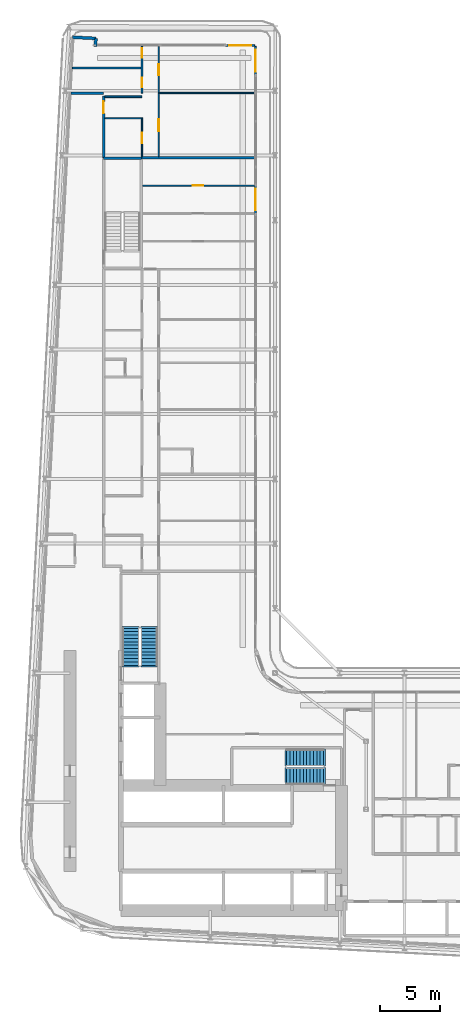
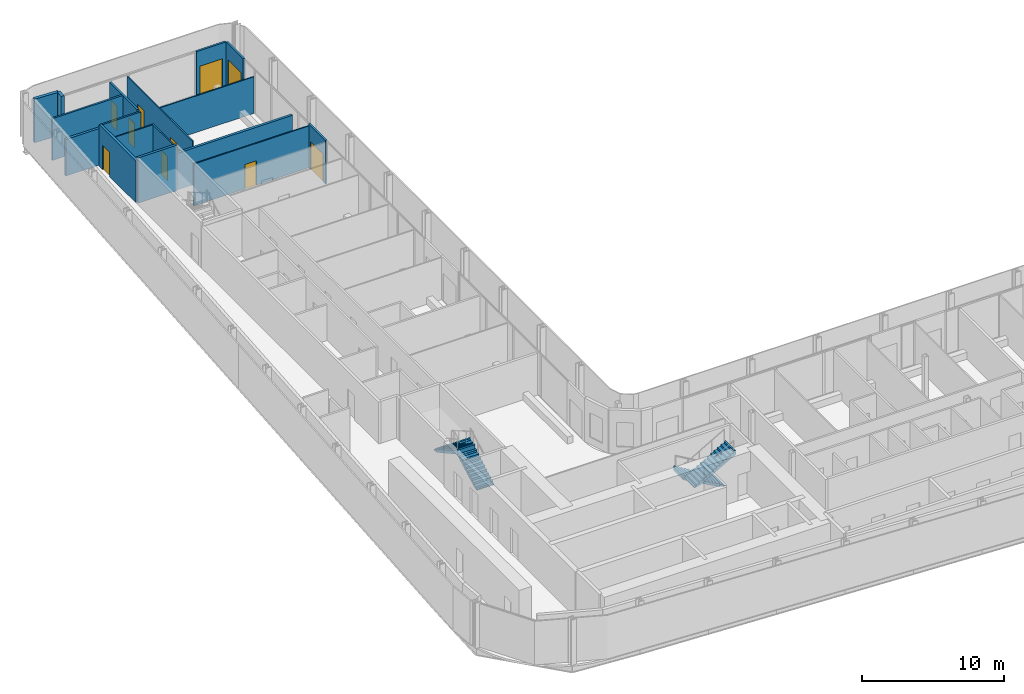
# One storey, part 21 of 29: 17 walls, 10 doors, 4 stair flights, 10 openings, 2 elements without a shape of their own.
"""IFC4 building model written with IfcOpenShell, lengths in metres."""

import ifcopenshell
import ifcopenshell.guid

model = None  # the IFC model being written
_history = None  # IfcOwnerHistory: only IFC2X3 demands one
_inside = {}  # id of a spatial element -> (the spatial element, [elements in it])
_under = {}  # id of a project, library or spatial element -> (it, [spatial elements below it])
_declared = {}  # id of a project -> (the project, [libraries it declares])
_typed = {}  # id of a type object -> (the type object, [elements of that type])
_made_of = {}  # id of a material, layer set ... -> (it, [elements and type objects made of it])


def new_model(schema):
    """Start an empty IFC model of exactly this schema.

    Asked for "IFC4X3", IfcOpenShell would pick the latest addendum, in which some entities
    have other attributes; the version numbers below select the first issue.
    IFC2X3 requires an IfcOwnerHistory on every rooted entity: one is made here for all.
    """
    global model, _history
    if schema == "IFC4X3":
        model = ifcopenshell.file(schema_version=(4, 3, 0, 0))
    else:
        model = ifcopenshell.file(schema=schema)
    _inside.clear()
    _under.clear()
    _declared.clear()
    _typed.clear()
    _made_of.clear()
    _history = None
    if model.schema == "IFC2X3":
        org = make("IfcOrganization", Name="unknown")
        user = make(
            "IfcPersonAndOrganization",
            ThePerson=make("IfcPerson", FamilyName="unknown"),
            TheOrganization=org,
        )
        app = make(
            "IfcApplication",
            ApplicationDeveloper=org,
            Version="unknown",
            ApplicationFullName="unknown",
            ApplicationIdentifier="unknown",
        )
        _history = make(
            "IfcOwnerHistory",
            OwningUser=user,
            OwningApplication=app,
            ChangeAction="ADDED",
            CreationDate=0,
        )
    return model


def make(cls, **values):
    """One entity of the class cls with the attributes given. An attribute that is None is left unset."""
    return model.create_entity(
        cls, **{name: value for name, value in values.items() if value is not None}
    )


def rooted(cls, **values):
    """An entity with a GlobalId (a new one), such as an element, a storey or a relation."""
    return make(cls, GlobalId=ifcopenshell.guid.new(), OwnerHistory=_history, **values)


def si_unit(unit_type, name, prefix=None):
    """IfcSIUnit, for example si_unit("LENGTHUNIT", "METRE", prefix="MILLI")."""
    return make("IfcSIUnit", UnitType=unit_type, Prefix=prefix, Name=name)


def assignment(units):
    """IfcUnitAssignment: the units of a project."""
    return None if units is None else make("IfcUnitAssignment", Units=units)


def point(xyz):
    """IfcCartesianPoint."""
    return None if xyz is None else make("IfcCartesianPoint", Coordinates=xyz)


def direction(xyz):
    """IfcDirection."""
    return None if xyz is None else make("IfcDirection", DirectionRatios=xyz)


def frame(location, z_axis=None, x_axis=None):
    """IfcAxis2Placement3D, a coordinate frame: its origin and axes. An axis left out is left unset."""
    return make(
        "IfcAxis2Placement3D",
        Location=point(location),
        Axis=direction(z_axis),
        RefDirection=direction(x_axis),
    )


def frame_2d(location, x_axis=None):
    """IfcAxis2Placement2D, a coordinate frame in the plane: its origin and x axis."""
    return make(
        "IfcAxis2Placement2D", Location=point(location), RefDirection=direction(x_axis)
    )


def origin():
    """The frame at (0, 0, 0) with its axes left unset."""
    return frame((0.0, 0.0, 0.0))


def place(relative_to, where):
    """IfcLocalPlacement: puts the frame where relative to a parent placement (None: the world)."""
    return make(
        "IfcLocalPlacement", PlacementRelTo=relative_to, RelativePlacement=where
    )


def context(
    kind, dimensions, precision=None, world=None, true_north=None, identifier=None
):
    """IfcGeometricRepresentationContext, for example the 3D "Model" context."""
    return make(
        "IfcGeometricRepresentationContext",
        ContextIdentifier=identifier,
        ContextType=kind,
        CoordinateSpaceDimension=dimensions,
        Precision=precision,
        WorldCoordinateSystem=world,
        TrueNorth=true_north,
    )


def subcontext(parent, identifier, kind, view, scale=None):
    """IfcGeometricRepresentationSubContext, for example "Body" below "Model"."""
    return make(
        "IfcGeometricRepresentationSubContext",
        ContextIdentifier=identifier,
        ContextType=kind,
        ParentContext=parent,
        TargetScale=scale,
        TargetView=view,
    )


def project(units=None, contexts=None):
    """IfcProject with its units and contexts."""
    return rooted(
        "IfcProject",
        Name="project",
        RepresentationContexts=contexts,
        UnitsInContext=assignment(units),
    )


def spatial(cls, under=None, at=None, **own):
    """A site, building, storey or space (cls), placed at a placement, below another one or the project."""
    s = rooted(cls, ObjectPlacement=at, **own)
    if under is not None:
        _under.setdefault(under.id(), (under, []))[1].append(s)
    return s


def polyline(points):
    """IfcPolyline through the points."""
    return make("IfcPolyline", Points=[point(p) for p in points])


def profile(cls, at=None, kind="AREA", **sizes):
    """A parametric profile (cls). Its sizes go by their IFC names, for example OverallWidth=200.0."""
    return make(cls, ProfileType=kind, Position=at, **sizes)


def rectangle(**sizes):
    """IfcRectangleProfileDef."""
    return profile("IfcRectangleProfileDef", **sizes)


def outline(outer, holes=None, kind="AREA"):
    """IfcArbitraryClosedProfileDef: a profile drawn as a closed curve; with holes, ...WithVoids."""
    if holes is None:
        return make("IfcArbitraryClosedProfileDef", ProfileType=kind, OuterCurve=outer)
    return make(
        "IfcArbitraryProfileDefWithVoids",
        ProfileType=kind,
        OuterCurve=outer,
        InnerCurves=holes,
    )


def extrude(swept, where, along, depth):
    """IfcExtrudedAreaSolid: the profile swept, set in the frame where, extruded along a direction by depth."""
    return make(
        "IfcExtrudedAreaSolid",
        SweptArea=swept,
        Position=where,
        ExtrudedDirection=direction(along),
        Depth=depth,
    )


def shape(context_of_items, identifier, shape_type, items):
    """IfcShapeRepresentation: the items that make up one representation, for example the "Body"."""
    return make(
        "IfcShapeRepresentation",
        ContextOfItems=context_of_items,
        RepresentationIdentifier=identifier,
        RepresentationType=shape_type,
        Items=items,
    )


def source(mapping_origin, context_of_items, identifier, shape_type, items):
    """IfcRepresentationMap: a shape defined once, which mapped items show again and again."""
    return make(
        "IfcRepresentationMap",
        MappingOrigin=mapping_origin,
        MappedRepresentation=shape(context_of_items, identifier, shape_type, items),
    )


def transform(
    local_origin,
    x_axis=None,
    y_axis=None,
    z_axis=None,
    scale=None,
    scale2=None,
    scale3=None,
    uniform=True,
):
    """IfcCartesianTransformationOperator3D, or its non-uniform kind. x_axis, y_axis, z_axis: its Axis1, 2, 3."""
    if uniform:
        return make(
            "IfcCartesianTransformationOperator3D",
            Axis1=direction(x_axis),
            Axis2=direction(y_axis),
            LocalOrigin=point(local_origin),
            Scale=scale,
            Axis3=direction(z_axis),
        )
    return make(
        "IfcCartesianTransformationOperator3DnonUniform",
        Axis1=direction(x_axis),
        Axis2=direction(y_axis),
        LocalOrigin=point(local_origin),
        Scale=scale,
        Axis3=direction(z_axis),
        Scale2=scale2,
        Scale3=scale3,
    )


def mapped(mapping_source, mapping_target):
    """IfcMappedItem: shows the shape of a source again, moved by a transform."""
    return make(
        "IfcMappedItem", MappingSource=mapping_source, MappingTarget=mapping_target
    )


def material(Name=None, Category=None):
    """IfcMaterial."""
    return make("IfcMaterial", Name=Name, Category=Category)


def layer(
    of_material, thickness, ventilated=None, Name=None, Category=None, Priority=None
):
    """IfcMaterialLayer: one layer of a wall or slab, of a material (None: an air gap)."""
    return make(
        "IfcMaterialLayer",
        Material=of_material,
        LayerThickness=thickness,
        IsVentilated=ventilated,
        Name=Name,
        Category=Category,
        Priority=Priority,
    )


def layer_set(layers, Name=None):
    """IfcMaterialLayerSet."""
    return make("IfcMaterialLayerSet", MaterialLayers=layers, LayerSetName=Name)


def made_of(thing, what):
    """Note that an element or type object is made of a material, layer set ...; save() writes the relation."""
    if what is not None:
        _made_of.setdefault(what.id(), (what, []))[1].append(thing)
    return thing


def type_object(cls, material=None, **own):
    """A type object (cls), such as IfcWallType, which elements share."""
    return made_of(rooted(cls, **own), material)


def element(
    cls,
    number,
    at=None,
    inside=None,
    cuts=None,
    type_object=None,
    material=None,
    context=None,
    identifier="Body",
    shape_type=None,
    held_by="IfcProductDefinitionShape",
    body=None,
    shapes=None,
    **own,
):
    """One element of the class cls, such as IfcWall. Its Tag is "e" and its number.

    at: its placement. inside: the storey or other place that contains it. cuts: it is an
    opening in that element (IfcRelVoidsElement). A single representation is given by context,
    identifier, shape_type and body (its items); several are given by shapes. held_by: the class
    of the entity that holds the representations. save() writes the other relations.
    """
    e = rooted(cls, Tag="e%d" % number, ObjectPlacement=at, **own)
    if body is not None:
        shapes = [shape(context, identifier, shape_type, body)]
    if shapes is not None:
        e.Representation = make(held_by, Representations=shapes)
    if inside is not None:
        _inside.setdefault(inside.id(), (inside, []))[1].append(e)
    if cuts is not None:
        rooted(
            "IfcRelVoidsElement", RelatingBuildingElement=cuts, RelatedOpeningElement=e
        )
    if type_object is not None:
        _typed.setdefault(type_object.id(), (type_object, []))[1].append(e)
    return made_of(e, material)


def fill(opening, filler):
    """IfcRelFillsElement: the door or window that sits in an opening."""
    return rooted(
        "IfcRelFillsElement",
        RelatingOpeningElement=opening,
        RelatedBuildingElement=filler,
    )


def aggregate(whole, parts):
    """IfcRelAggregates: a whole, such as a stair, and the parts it consists of."""
    return rooted("IfcRelAggregates", RelatingObject=whole, RelatedObjects=parts)


def save(model, path):
    """Write the relations noted so far, then the file.

    IfcRelAggregates (storeys below a building ...), IfcRelContainedInSpatialStructure (elements
    in a storey), IfcRelDefinesByType, IfcRelAssociatesMaterial and IfcRelDeclares: one each for
    every whole, place, type object, material and project.
    """
    for whole, parts in _under.values():
        aggregate(whole, parts)
    for where, things in _inside.values():
        rooted(
            "IfcRelContainedInSpatialStructure",
            RelatedElements=things,
            RelatingStructure=where,
        )
    for kind, things in _typed.values():
        rooted("IfcRelDefinesByType", RelatedObjects=things, RelatingType=kind)
    for what, things in _made_of.values():
        rooted("IfcRelAssociatesMaterial", RelatedObjects=things, RelatingMaterial=what)
    for by, libraries in _declared.values():
        rooted("IfcRelDeclares", RelatingContext=by, RelatedDefinitions=libraries)
    model.write(path)


model = new_model("IFC4")

# Units and contexts
model_context = context("Model", 3, precision=1e-05, world=origin(), true_north=direction((0.0, 1.0)))
body_context = subcontext(model_context, "Body", "Model", "MODEL_VIEW")
ifc_project = project(units=[si_unit("LENGTHUNIT", "METRE"), si_unit("AREAUNIT", "SQUARE_METRE"), si_unit("VOLUMEUNIT", "CUBIC_METRE"), si_unit("PLANEANGLEUNIT", "RADIAN"), si_unit("MASSUNIT", "GRAM", prefix="KILO")], contexts=[model_context])

# Site, building, storey
site_placement = place(None, origin())
site = spatial("IfcSite", under=ifc_project, at=site_placement, CompositionType="ELEMENT")
building_placement = place(site_placement, origin())
building = spatial("IfcBuilding", under=site, at=building_placement, Name="Kheshtan School and Residences Tower", CompositionType="ELEMENT")
storey_placement = place(building_placement, frame((0.0, 0.0, 65.60009765625)))
storey = spatial("IfcBuildingStorey", under=building, at=storey_placement, Name="L15", CompositionType="ELEMENT", Elevation=65.60009765625)

# Wall
ifc_material_1 = material(Name="Gypsum board on steel studs with fire boards", Category="steel")
ifc_layer_1 = layer(ifc_material_1, 0.199951171875)
ifc_layer_set_1 = layer_set([ifc_layer_1], Name="Corridor wall 200")
wall_type_1 = type_object("IfcWallType", Name="Corridor wall 200", PredefinedType="PARTITIONING", material=ifc_layer_set_1)
wall_1_placement = place(storey_placement, frame((30.584716796875, 94.0, 0.0), z_axis=(0.0, 0.0, 1.0), x_axis=(1.0, 0.0, 0.0)))
element("IfcWall", 1, at=wall_1_placement, inside=storey, type_object=wall_type_1, Name="Partition L15-002", PredefinedType="PARTITIONING", context=body_context, shape_type="SweptSolid", body=[
    extrude(rectangle(XDim=2.71533203125, YDim=0.199951171875, at=frame_2d((1.357666015625, 0.0))), origin(), (0.0, 0.0, 1.0), 3.14697265625),
])

# Wall, opening, door
wall_2_placement = place(storey_placement, frame((33.300048828125, 88.60009765625, 0.0), z_axis=(0.0, 0.0, 1.0), x_axis=(0.0, 1.0, 0.0)))
wall_2 = element("IfcWall", 2, at=wall_2_placement, inside=storey, type_object=wall_type_1, Name="Partition L15-004", PredefinedType="PARTITIONING", context=body_context, shape_type="SweptSolid", body=[
    extrude(rectangle(XDim=5.1748046875, YDim=0.199951171875, at=frame_2d((2.58740234375, 0.0))), origin(), (0.0, 0.0, 1.0), 3.599853515625),
])
opening_1_placement = place(wall_2_placement, frame((3.699951171875, 0.0, 0.0)))
opening_1 = element("IfcOpeningElement", 3, at=opening_1_placement, cuts=wall_2, Name="Opening D14-053", PredefinedType="OPENING", context=body_context, shape_type="SweptSolid", body=[
    extrude(rectangle(XDim=1.0, YDim=2.10009765625, at=frame_2d((0.5, 1.050048828125))), frame((0.0, 0.10986328125, 0.0), z_axis=(0.0, -1.0, 0.0), x_axis=(1.0, 0.0, 0.0)), (0.0, 0.0, 1.0), 0.219970703125),
])
ifc_material_2 = material(Name="Steel-framed fire-resisting door leaf", Category="steel")
door_type_1 = type_object("IfcDoorType", Name="Fire door FD30S 1000 x 2100", OperationType="SINGLE_SWING_LEFT", PredefinedType="DOOR", material=ifc_material_2)
shared_shape_1 = source(origin(), body_context, "Body", "SweptSolid", [
    extrude(rectangle(XDim=1.0, YDim=2.10009765625, at=frame_2d((0.5, 1.050048828125))), frame((0.0, 0.02490234375, 0.0), z_axis=(0.0, -1.0, 0.0), x_axis=(1.0, 0.0, 0.0)), (0.0, 0.0, 1.0), 0.050048828125),
])
door_1_placement = place(opening_1_placement, origin())
door_1 = element("IfcDoor", 4, at=door_1_placement, inside=storey, type_object=door_type_1, Name="Door D14-053", OperationType="SINGLE_SWING_RIGHT", OverallHeight=2.10009765625, OverallWidth=1.0, PredefinedType="DOOR", context=body_context, shape_type="MappedRepresentation", body=[
    mapped(shared_shape_1, transform((0.0, 0.0, 0.0), x_axis=(1.0, 0.0, 0.0), y_axis=(0.0, 1.0, 0.0), z_axis=(0.0, 0.0, 1.0), scale=1.0)),
])
fill(opening_1, door_1)

# Walls
ifc_material_3 = material(Name="Concrete C40/50 with ceramic cladding and mineral wool insulation", Category="concrete")
ifc_layer_2 = layer(ifc_material_3, 0.25)
ifc_layer_set_2 = layer_set([ifc_layer_2], Name="External wall 250 ceramic clad")
wall_type_2 = type_object("IfcWallType", Name="External wall 250 ceramic clad", PredefinedType="SOLIDWALL", material=ifc_layer_set_2)
wall_3_placement = place(storey_placement, frame((30.705078125, 98.6640625, 0.0), z_axis=(0.0, 0.0, 1.0), x_axis=(0.998577785791, -0.053314216913, 0.0)))
element("IfcWall", 5, at=wall_3_placement, inside=storey, type_object=wall_type_2, Name="External wall L15 5", PredefinedType="SOLIDWALL", context=body_context, shape_type="SweptSolid", body=[
    extrude(rectangle(XDim=1.95068359375, YDim=0.25, at=frame_2d((0.975341796875, 0.0))), origin(), (0.0, 0.0, 1.0), 3.75),
])
wall_4_placement = place(storey_placement, frame((32.653076171875, 98.56005859375, 0.0), z_axis=(0.0, 0.0, 1.0), x_axis=(-0.054093451632, -0.998535877418, 0.0)))
element("IfcWall", 6, at=wall_4_placement, inside=storey, type_object=wall_type_2, Name="External wall L15 6", PredefinedType="SOLIDWALL", context=body_context, shape_type="SweptSolid", body=[
    extrude(rectangle(XDim=0.66796875, YDim=0.25, at=frame_2d((0.333984375, 0.0))), origin(), (0.0, 0.0, 1.0), 3.75),
])

# Wall, opening, door
ifc_material_4 = material(Name="Aluminium frame wall with insulated infill", Category="aluminium")
ifc_layer_3 = layer(ifc_material_4, 0.14990234375)
ifc_layer_set_3 = layer_set([ifc_layer_3], Name="Glazing frame wall 150")
wall_type_3 = type_object("IfcWallType", Name="Glazing frame wall 150", PredefinedType="SOLIDWALL", material=ifc_layer_set_3)
wall_5_placement = place(storey_placement, frame((43.5, 97.97509765625, 0.0), z_axis=(0.0, 0.0, 1.0), x_axis=(1.0, 0.0, 0.0)))
wall_5 = element("IfcWall", 7, at=wall_5_placement, inside=storey, type_object=wall_type_3, Name="Balcony door wall L15 7.1", PredefinedType="SOLIDWALL", context=body_context, shape_type="SweptSolid", body=[
    extrude(rectangle(XDim=2.39990234375, YDim=0.14990234375, at=frame_2d((1.199951171875, 0.0))), origin(), (0.0, 0.0, 1.0), 3.75),
])
opening_2_placement = place(wall_5_placement, frame((0.300048828125, 0.0, 0.0)))
opening_2 = element("IfcOpeningElement", 8, at=opening_2_placement, cuts=wall_5, Name="Opening BD", PredefinedType="OPENING", context=body_context, shape_type="SweptSolid", body=[
    extrude(rectangle(XDim=1.800048828125, YDim=2.39990234375, at=frame_2d((0.89990234375, 1.199951171875))), frame((0.0, 0.0849609375, 0.0), z_axis=(0.0, -1.0, 0.0), x_axis=(1.0, 0.0, 0.0)), (0.0, 0.0, 1.0), 0.169921875),
])
ifc_material_5 = material(Name="Clear low-e glass in thermally broken aluminium frame", Category="aluminium")
door_type_2 = type_object("IfcDoorType", Name="Balcony sliding door", OperationType="SLIDING_TO_LEFT", PredefinedType="DOOR", material=ifc_material_5)
shared_shape_2 = source(origin(), body_context, "Body", "SweptSolid", [
    extrude(rectangle(XDim=1.800048828125, YDim=2.39990234375, at=frame_2d((0.89990234375, 1.199951171875))), frame((0.0, 0.02490234375, 0.0), z_axis=(0.0, -1.0, 0.0), x_axis=(1.0, 0.0, 0.0)), (0.0, 0.0, 1.0), 0.050048828125),
])
door_2_placement = place(opening_2_placement, origin())
door_2 = element("IfcDoor", 9, at=door_2_placement, inside=storey, type_object=door_type_2, Name="Balcony door L15 7.1", OperationType="SLIDING_TO_LEFT", OverallHeight=2.39990234375, OverallWidth=1.800048828125, PredefinedType="DOOR", context=body_context, shape_type="MappedRepresentation", body=[
    mapped(shared_shape_2, transform((0.0, 0.0, 0.0), x_axis=(1.0, 0.0, 0.0), y_axis=(0.0, 1.0, 0.0), z_axis=(0.0, 0.0, 1.0), scale=1.0)),
])
fill(opening_2, door_2)

wall_6_placement = place(storey_placement, frame((45.97509765625, 97.89990234375, 0.0), z_axis=(0.0, 0.0, 1.0), x_axis=(0.0, -1.0, 0.0)))
wall_6 = element("IfcWall", 10, at=wall_6_placement, inside=storey, type_object=wall_type_3, Name="Balcony door wall L15 8.1", PredefinedType="SOLIDWALL", context=body_context, shape_type="SweptSolid", body=[
    extrude(rectangle(XDim=2.39990234375, YDim=0.14990234375, at=frame_2d((1.199951171875, 0.0))), origin(), (0.0, 0.0, 1.0), 3.75),
])
opening_3_placement = place(wall_6_placement, frame((0.300048828125, 0.0, 0.0)))
opening_3 = element("IfcOpeningElement", 11, at=opening_3_placement, cuts=wall_6, Name="Opening BD", PredefinedType="OPENING", context=body_context, shape_type="SweptSolid", body=[
    extrude(rectangle(XDim=1.800048828125, YDim=2.39990234375, at=frame_2d((0.89990234375, 1.199951171875))), frame((0.0, 0.0849609375, 0.0), z_axis=(0.0, -1.0, 0.0), x_axis=(1.0, 0.0, 0.0)), (0.0, 0.0, 1.0), 0.169921875),
])
door_3_placement = place(opening_3_placement, origin())
door_3 = element("IfcDoor", 12, at=door_3_placement, inside=storey, type_object=door_type_2, Name="Balcony door L15 8.1", OperationType="SLIDING_TO_LEFT", OverallHeight=2.39990234375, OverallWidth=1.800048828125, PredefinedType="DOOR", context=body_context, shape_type="MappedRepresentation", body=[
    mapped(shared_shape_2, transform((0.0, 0.0, 0.0), x_axis=(1.0, 0.0, 0.0), y_axis=(0.0, 1.0, 0.0), z_axis=(0.0, 0.0, 1.0), scale=1.0)),
])
fill(opening_3, door_3)

wall_7_placement = place(storey_placement, frame((45.97509765625, 86.305908203125, 0.0), z_axis=(0.0, 0.0, 1.0), x_axis=(0.0, -1.0, 0.0)))
wall_7 = element("IfcWall", 13, at=wall_7_placement, inside=storey, type_object=wall_type_3, Name="Balcony door wall L15 8.2", PredefinedType="SOLIDWALL", context=body_context, shape_type="SweptSolid", body=[
    extrude(rectangle(XDim=2.39990234375, YDim=0.14990234375, at=frame_2d((1.199951171875, 0.0))), origin(), (0.0, 0.0, 1.0), 3.75),
])
opening_4_placement = place(wall_7_placement, frame((0.300048828125, 0.0, 0.0)))
opening_4 = element("IfcOpeningElement", 14, at=opening_4_placement, cuts=wall_7, Name="Opening BD", PredefinedType="OPENING", context=body_context, shape_type="SweptSolid", body=[
    extrude(rectangle(XDim=1.800048828125, YDim=2.39990234375, at=frame_2d((0.89990234375, 1.199951171875))), frame((0.0, 0.0849609375, 0.0), z_axis=(0.0, -1.0, 0.0), x_axis=(1.0, 0.0, 0.0)), (0.0, 0.0, 1.0), 0.169921875),
])
door_4_placement = place(opening_4_placement, origin())
door_4 = element("IfcDoor", 15, at=door_4_placement, inside=storey, type_object=door_type_2, Name="Balcony door L15 8.2", OperationType="SLIDING_TO_LEFT", OverallHeight=2.39990234375, OverallWidth=1.800048828125, PredefinedType="DOOR", context=body_context, shape_type="MappedRepresentation", body=[
    mapped(shared_shape_2, transform((0.0, 0.0, 0.0), x_axis=(1.0, 0.0, 0.0), y_axis=(0.0, 1.0, 0.0), z_axis=(0.0, 0.0, 1.0), scale=1.0)),
])
fill(opening_4, door_4)

# Wall
ifc_material_6 = material(Name="Gypsum board on steel studs", Category="steel")
ifc_layer_4 = layer(ifc_material_6, 0.10009765625)
ifc_layer_set_4 = layer_set([ifc_layer_4], Name="Gypsum partition 100")
wall_type_4 = type_object("IfcWallType", Name="Gypsum partition 100", PredefinedType="PARTITIONING", material=ifc_layer_set_4)
wall_8_placement = place(storey_placement, frame((33.39990234375, 91.89990234375, 0.0), z_axis=(0.0, 0.0, 1.0), x_axis=(1.0, 0.0, 0.0)))
element("IfcWall", 16, at=wall_8_placement, inside=storey, type_object=wall_type_4, Name="Partition L15-013", PredefinedType="PARTITIONING", context=body_context, shape_type="SweptSolid", body=[
    extrude(rectangle(XDim=3.050048828125, YDim=0.10009765625, at=frame_2d((1.52490234375, 0.0))), origin(), (0.0, 0.0, 1.0), 3.599853515625),
])

# Wall, opening, door
wall_9_placement = place(storey_placement, frame((36.5, 88.699951171875, 0.0), z_axis=(0.0, 0.0, 1.0), x_axis=(0.0, 1.0, 0.0)))
wall_9 = element("IfcWall", 17, at=wall_9_placement, inside=storey, type_object=wall_type_4, Name="Partition L15-022", PredefinedType="PARTITIONING", context=body_context, shape_type="SweptSolid", body=[
    extrude(rectangle(XDim=3.25, YDim=0.10009765625, at=frame_2d((1.625, 0.0))), origin(), (0.0, 0.0, 1.0), 3.599853515625),
])
opening_5_placement = place(wall_9_placement, frame((1.10009765625, 0.0, 0.0)))
opening_5 = element("IfcOpeningElement", 18, at=opening_5_placement, cuts=wall_9, Name="Opening D14-054", PredefinedType="OPENING", context=body_context, shape_type="SweptSolid", body=[
    extrude(rectangle(XDim=0.89990234375, YDim=2.10009765625, at=frame_2d((0.449951171875, 1.050048828125))), frame((0.0, 0.06005859375, 0.0), z_axis=(0.0, -1.0, 0.0), x_axis=(1.0, 0.0, 0.0)), (0.0, 0.0, 1.0), 0.1201171875),
])
ifc_material_7 = material(Name="Veneered timber door leaf", Category="wood")
door_type_3 = type_object("IfcDoorType", Name="Door 900 x 2100", OperationType="SINGLE_SWING_LEFT", PredefinedType="DOOR", material=ifc_material_7)
shared_shape_3 = source(origin(), body_context, "Body", "SweptSolid", [
    extrude(rectangle(XDim=0.89990234375, YDim=2.10009765625, at=frame_2d((0.449951171875, 1.050048828125))), frame((0.0, 0.02490234375, 0.0), z_axis=(0.0, -1.0, 0.0), x_axis=(1.0, 0.0, 0.0)), (0.0, 0.0, 1.0), 0.050048828125),
])
door_5_placement = place(opening_5_placement, origin())
door_5 = element("IfcDoor", 19, at=door_5_placement, inside=storey, type_object=door_type_3, Name="Door D14-054", OperationType="SINGLE_SWING_LEFT", OverallHeight=2.10009765625, OverallWidth=0.89990234375, PredefinedType="DOOR", context=body_context, shape_type="MappedRepresentation", body=[
    mapped(shared_shape_3, transform((0.0, 0.0, 0.0), x_axis=(1.0, 0.0, 0.0), y_axis=(0.0, 1.0, 0.0), z_axis=(0.0, 0.0, 1.0), scale=1.0)),
])
fill(opening_5, door_5)

wall_10_placement = place(storey_placement, frame((36.549072265625, 86.27490234375, 0.0), z_axis=(0.0, 0.0, 1.0), x_axis=(1.0, 0.0, 0.0)))
wall_10 = element("IfcWall", 20, at=wall_10_placement, inside=storey, type_object=wall_type_4, Name="Partition L15-026", PredefinedType="PARTITIONING", context=body_context, shape_type="SweptSolid", body=[
    extrude(rectangle(XDim=9.350830078125, YDim=0.10009765625, at=frame_2d((4.67529296875, 0.0))), origin(), (0.0, 0.0, 1.0), 3.599853515625),
])
opening_6_placement = place(wall_10_placement, frame((4.176025390625, 0.0, 0.0)))
opening_6 = element("IfcOpeningElement", 21, at=opening_6_placement, cuts=wall_10, Name="Opening D14-050", PredefinedType="OPENING", context=body_context, shape_type="SweptSolid", body=[
    extrude(rectangle(XDim=0.89990234375, YDim=2.10009765625, at=frame_2d((0.449951171875, 1.050048828125))), frame((0.0, 0.06005859375, 0.0), z_axis=(0.0, -1.0, 0.0), x_axis=(1.0, 0.0, 0.0)), (0.0, 0.0, 1.0), 0.1201171875),
])
door_6_placement = place(opening_6_placement, origin())
door_6 = element("IfcDoor", 22, at=door_6_placement, inside=storey, type_object=door_type_3, Name="Door D14-050", OperationType="SINGLE_SWING_RIGHT", OverallHeight=2.10009765625, OverallWidth=0.89990234375, PredefinedType="DOOR", context=body_context, shape_type="MappedRepresentation", body=[
    mapped(shared_shape_3, transform((0.0, 0.0, 0.0), x_axis=(1.0, 0.0, 0.0), y_axis=(0.0, 1.0, 0.0), z_axis=(0.0, 0.0, 1.0), scale=1.0)),
])
fill(opening_6, door_6)

# Wall, openings, doors
wall_11_placement = place(storey_placement, frame((37.89990234375, 88.699951171875, 0.0), z_axis=(0.0, 0.0, 1.0), x_axis=(0.0, 1.0, 0.0)))
wall_11 = element("IfcWall", 23, at=wall_11_placement, inside=storey, type_object=wall_type_4, Name="Partition L15-028", PredefinedType="PARTITIONING", context=body_context, shape_type="SweptSolid", body=[
    extrude(rectangle(XDim=9.199951171875, YDim=0.10009765625, at=frame_2d((4.60009765625, 0.0))), origin(), (0.0, 0.0, 1.0), 3.599853515625),
])
opening_7_placement = place(wall_11_placement, frame((6.800048828125, 0.0, 0.0)))
opening_7 = element("IfcOpeningElement", 24, at=opening_7_placement, cuts=wall_11, Name="Opening D14-052", PredefinedType="OPENING", context=body_context, shape_type="SweptSolid", body=[
    extrude(rectangle(XDim=0.89990234375, YDim=2.10009765625, at=frame_2d((0.449951171875, 1.050048828125))), frame((0.0, 0.06005859375, 0.0), z_axis=(0.0, -1.0, 0.0), x_axis=(1.0, 0.0, 0.0)), (0.0, 0.0, 1.0), 0.1201171875),
])
opening_8_placement = place(wall_11_placement, frame((2.10009765625, 0.0, 0.0)))
opening_8 = element("IfcOpeningElement", 25, at=opening_8_placement, cuts=wall_11, Name="Opening D14-055", PredefinedType="OPENING", context=body_context, shape_type="SweptSolid", body=[
    extrude(rectangle(XDim=1.0, YDim=2.10009765625, at=frame_2d((0.5, 1.050048828125))), frame((0.0, 0.06005859375, 0.0), z_axis=(0.0, -1.0, 0.0), x_axis=(1.0, 0.0, 0.0)), (0.0, 0.0, 1.0), 0.1201171875),
])
door_type_4 = type_object("IfcDoorType", Name="Door 1000 x 2100", OperationType="SINGLE_SWING_LEFT", PredefinedType="DOOR", material=ifc_material_7)
shared_shape_4 = source(origin(), body_context, "Body", "SweptSolid", [
    extrude(rectangle(XDim=1.0, YDim=2.10009765625, at=frame_2d((0.5, 1.050048828125))), frame((0.0, 0.02490234375, 0.0), z_axis=(0.0, -1.0, 0.0), x_axis=(1.0, 0.0, 0.0)), (0.0, 0.0, 1.0), 0.050048828125),
])
door_7_placement = place(opening_8_placement, origin())
door_7 = element("IfcDoor", 26, at=door_7_placement, inside=storey, type_object=door_type_4, Name="Door D14-055", OperationType="SINGLE_SWING_LEFT", OverallHeight=2.10009765625, OverallWidth=1.0, PredefinedType="DOOR", context=body_context, shape_type="MappedRepresentation", body=[
    mapped(shared_shape_4, transform((0.0, 0.0, 0.0), x_axis=(1.0, 0.0, 0.0), y_axis=(0.0, 1.0, 0.0), z_axis=(0.0, 0.0, 1.0), scale=1.0)),
])
fill(opening_8, door_7)
door_8_placement = place(opening_7_placement, origin())
door_8 = element("IfcDoor", 27, at=door_8_placement, inside=storey, type_object=door_type_3, Name="Door D14-052", OperationType="SINGLE_SWING_RIGHT", OverallHeight=2.10009765625, OverallWidth=0.89990234375, PredefinedType="DOOR", context=body_context, shape_type="MappedRepresentation", body=[
    mapped(shared_shape_3, transform((0.0, 0.0, 0.0), x_axis=(1.0, 0.0, 0.0), y_axis=(0.0, 1.0, 0.0), z_axis=(0.0, 0.0, 1.0), scale=1.0)),
])
fill(opening_7, door_8)

# Walls
wall_12_placement = place(storey_placement, frame((37.949951171875, 94.0, 0.0), z_axis=(0.0, 0.0, 1.0), x_axis=(1.0, 0.0, 0.0)))
element("IfcWall", 28, at=wall_12_placement, inside=storey, type_object=wall_type_4, Name="Partition L15-029", PredefinedType="PARTITIONING", context=body_context, shape_type="SweptSolid", body=[
    extrude(rectangle(XDim=7.949951171875, YDim=0.10009765625, at=frame_2d((3.97509765625, 0.0))), origin(), (0.0, 0.0, 1.0), 3.14697265625),
])
ifc_material_8 = material(Name="Concrete C40/50", Category="concrete")
ifc_layer_5 = layer(ifc_material_8, 0.199951171875)
ifc_layer_set_5 = layer_set([ifc_layer_5], Name="Stair enclosure wall 200 Concrete C40/50")
wall_type_5 = type_object("IfcWallType", Name="Stair enclosure wall 200 Concrete C40/50", PredefinedType="SHEAR", material=ifc_layer_set_5)
wall_13_placement = place(storey_placement, frame((33.300048828125, 88.56005859375, 0.0), z_axis=(0.0, 0.0, 1.0), x_axis=(1.0, 0.0, 0.0)))
element("IfcWall", 29, at=wall_13_placement, inside=storey, type_object=wall_type_5, Name="Stair enclosure wall ST3", PredefinedType="SHEAR", context=body_context, shape_type="SweptSolid", body=[
    extrude(rectangle(XDim=3.14990234375, YDim=0.199951171875, at=frame_2d((1.574951171875, 0.0))), origin(), (0.0, 0.0, 1.0), 3.89990234375),
])
ifc_material_9 = material(Name="Twin gypsum board on steel studs with mineral wool", Category="steel")
ifc_layer_6 = layer(ifc_material_9, 0.199951171875)
ifc_layer_set_6 = layer_set([ifc_layer_6], Name="Unit demising wall 200")
wall_type_6 = type_object("IfcWallType", Name="Unit demising wall 200", PredefinedType="PARTITIONING", material=ifc_layer_set_6)
wall_14_placement = place(storey_placement, frame((36.449951171875, 88.60009765625, 0.0), z_axis=(0.0, 0.0, 1.0), x_axis=(1.0, 0.0, 0.0)))
element("IfcWall", 30, at=wall_14_placement, inside=storey, type_object=wall_type_6, Name="Partition L15-018", PredefinedType="PARTITIONING", context=body_context, shape_type="SweptSolid", body=[
    extrude(rectangle(XDim=9.449951171875, YDim=0.199951171875, at=frame_2d((4.72509765625, 0.0))), origin(), (0.0, 0.0, 1.0), 3.14697265625),
])
ifc_material_10 = material(Name="Moisture-resistant gypsum board on steel studs", Category="steel")
ifc_layer_7 = layer(ifc_material_10, 0.14990234375)
ifc_layer_set_7 = layer_set([ifc_layer_7], Name="Wet-room partition 150")
wall_type_7 = type_object("IfcWallType", Name="Wet-room partition 150", PredefinedType="PARTITIONING", material=ifc_layer_set_7)
wall_15_placement = place(storey_placement, frame((30.695068359375, 96.10009765625, 0.0), z_axis=(0.0, 0.0, 1.0), x_axis=(1.0, 0.0, 0.0)))
element("IfcWall", 31, at=wall_15_placement, inside=storey, type_object=wall_type_7, Name="Partition L15-001", PredefinedType="PARTITIONING", context=body_context, shape_type="SweptSolid", body=[
    extrude(rectangle(XDim=5.72998046875, YDim=0.14990234375, at=frame_2d((2.864990234375, 0.0))), origin(), (0.0, 0.0, 1.0), 3.599853515625),
])
wall_16_placement = place(storey_placement, frame((33.39990234375, 93.699951171875, 0.0), z_axis=(0.0, 0.0, 1.0), x_axis=(1.0, 0.0, 0.0)))
element("IfcWall", 32, at=wall_16_placement, inside=storey, type_object=wall_type_7, Name="Partition L15-014", PredefinedType="PARTITIONING", context=body_context, shape_type="SweptSolid", body=[
    extrude(rectangle(XDim=3.10009765625, YDim=0.14990234375, at=frame_2d((1.550048828125, 0.0))), origin(), (0.0, 0.0, 1.0), 3.599853515625),
])

# Wall, openings, doors
wall_17_placement = place(storey_placement, frame((36.5, 94.0, 0.0), z_axis=(0.0, 0.0, 1.0), x_axis=(0.0, 1.0, 0.0)))
wall_17 = element("IfcWall", 33, at=wall_17_placement, inside=storey, type_object=wall_type_7, Name="Partition L15-023", PredefinedType="PARTITIONING", context=body_context, shape_type="SweptSolid", body=[
    extrude(rectangle(XDim=3.89990234375, YDim=0.14990234375, at=frame_2d((1.949951171875, 0.0))), origin(), (0.0, 0.0, 1.0), 3.599853515625),
])
opening_9_placement = place(wall_17_placement, frame((0.5, 0.0, 0.0)))
opening_9 = element("IfcOpeningElement", 34, at=opening_9_placement, cuts=wall_17, Name="Opening D14-051", PredefinedType="OPENING", context=body_context, shape_type="SweptSolid", body=[
    extrude(rectangle(XDim=0.800048828125, YDim=2.10009765625, at=frame_2d((0.39990234375, 1.050048828125))), frame((0.0, 0.0849609375, 0.0), z_axis=(0.0, -1.0, 0.0), x_axis=(1.0, 0.0, 0.0)), (0.0, 0.0, 1.0), 0.169921875),
])
opening_10_placement = place(wall_17_placement, frame((2.949951171875, 0.0, 0.0)))
opening_10 = element("IfcOpeningElement", 35, at=opening_10_placement, cuts=wall_17, Name="Opening D14-056", PredefinedType="OPENING", context=body_context, shape_type="SweptSolid", body=[
    extrude(rectangle(XDim=0.800048828125, YDim=2.10009765625, at=frame_2d((0.39990234375, 1.050048828125))), frame((0.0, 0.0849609375, 0.0), z_axis=(0.0, -1.0, 0.0), x_axis=(1.0, 0.0, 0.0)), (0.0, 0.0, 1.0), 0.169921875),
])
door_type_5 = type_object("IfcDoorType", Name="Door 800 x 2100", OperationType="SINGLE_SWING_LEFT", PredefinedType="DOOR", material=ifc_material_7)
shared_shape_5 = source(origin(), body_context, "Body", "SweptSolid", [
    extrude(rectangle(XDim=0.800048828125, YDim=2.10009765625, at=frame_2d((0.39990234375, 1.050048828125))), frame((0.0, 0.02490234375, 0.0), z_axis=(0.0, -1.0, 0.0), x_axis=(1.0, 0.0, 0.0)), (0.0, 0.0, 1.0), 0.050048828125),
])
door_9_placement = place(opening_9_placement, origin())
door_9 = element("IfcDoor", 36, at=door_9_placement, inside=storey, type_object=door_type_5, Name="Door D14-051", OperationType="SINGLE_SWING_LEFT", OverallHeight=2.10009765625, OverallWidth=0.800048828125, PredefinedType="DOOR", context=body_context, shape_type="MappedRepresentation", body=[
    mapped(shared_shape_5, transform((0.0, 0.0, 0.0), x_axis=(1.0, 0.0, 0.0), y_axis=(0.0, 1.0, 0.0), z_axis=(0.0, 0.0, 1.0), scale=1.0)),
])
fill(opening_9, door_9)
door_10_placement = place(opening_10_placement, origin())
door_10 = element("IfcDoor", 37, at=door_10_placement, inside=storey, type_object=door_type_5, Name="Door D14-056", OperationType="SINGLE_SWING_LEFT", OverallHeight=2.10009765625, OverallWidth=0.800048828125, PredefinedType="DOOR", context=body_context, shape_type="MappedRepresentation", body=[
    mapped(shared_shape_5, transform((0.0, 0.0, 0.0), x_axis=(1.0, 0.0, 0.0), y_axis=(0.0, 1.0, 0.0), z_axis=(0.0, 0.0, 1.0), scale=1.0)),
])
fill(opening_10, door_10)

# Stair, stair flights
stair_type = type_object("IfcStairType", Name="Exit stair, half-turn", PredefinedType="HALF_TURN_STAIR", material=ifc_material_8)
stair_1_placement = place(storey_placement, origin())
stair_1 = element("IfcStair", 38, at=stair_1_placement, inside=storey, type_object=stair_type, Name="L15 Protected Exit Stair ST1", PredefinedType="HALF_TURN_STAIR")
ifc_layer_8 = layer(ifc_material_8, 0.14990234375)
ifc_layer_set_8 = layer_set([ifc_layer_8], Name="Stair flight 1400 Concrete C40/50")
stair_flight_type = type_object("IfcStairFlightType", Name="Stair flight 1400 Concrete C40/50", PredefinedType="STRAIGHT", material=ifc_layer_set_8)
stair_flight_1_placement = place(storey_placement, frame((51.64990234375, 38.550048828125, 0.0), z_axis=(0.0, 0.0, 1.0), x_axis=(-1.0, 0.0, 0.0)))
stair_flight_1 = element("IfcStairFlight", 39, at=stair_flight_1_placement, type_object=stair_flight_type, Name="ST1 flight 1", NumberOfRisers=12, NumberOfTreads=11, PredefinedType="STRAIGHT", RiserHeight=0.1625, TreadLength=0.28, context=body_context, shape_type="SweptSolid", body=[
    extrude(outline(polyline([(-0.14990234375, -0.10009765625), (-0.14990234375, 0.0), (0.0, 0.0), (0.0, 0.16259765625), (0.280029296875, 0.16259765625), (0.280029296875, 0.324951171875), (0.56005859375, 0.324951171875), (0.56005859375, 0.487548828125), (0.840087890625, 0.487548828125), (0.840087890625, 0.64990234375), (1.1201171875, 0.64990234375), (1.1201171875, 0.8125), (1.39990234375, 0.8125), (1.39990234375, 0.97509765625), (1.679931640625, 0.97509765625), (1.679931640625, 1.137451171875), (1.9599609375, 1.137451171875), (1.9599609375, 1.300048828125), (2.239990234375, 1.300048828125), (2.239990234375, 1.46240234375), (2.52001953125, 1.46240234375), (2.52001953125, 1.625), (2.800048828125, 1.625), (2.800048828125, 1.78759765625), (3.080078125, 1.78759765625), (3.080078125, 1.949951171875), (3.080078125, 1.969970703125), (3.22998046875, 1.969970703125), (3.22998046875, 1.6142578125), (0.298583984375, 0.0), (-0.14990234375, -0.10009765625)])), frame((0.0, 0.699951171875, 0.0), z_axis=(0.0, -1.0, 0.0), x_axis=(1.0, 0.0, 0.0)), (0.0, 0.0, 1.0), 1.39990234375),
])
stair_flight_2_placement = place(storey_placement, frame((48.570068359375, 37.0, 1.949951171875), z_axis=(0.0, 0.0, 1.0), x_axis=(1.0, 0.0, 0.0)))
stair_flight_2 = element("IfcStairFlight", 40, at=stair_flight_2_placement, type_object=stair_flight_type, Name="ST1 flight 2", NumberOfRisers=12, NumberOfTreads=11, PredefinedType="STRAIGHT", RiserHeight=0.1625, TreadLength=0.28, context=body_context, shape_type="SweptSolid", body=[
    extrude(outline(polyline([(-0.14990234375, -0.10009765625), (-0.14990234375, 0.0), (0.0, 0.0), (0.0, 0.16259765625), (0.280029296875, 0.16259765625), (0.280029296875, 0.324951171875), (0.56005859375, 0.324951171875), (0.56005859375, 0.487548828125), (0.840087890625, 0.487548828125), (0.840087890625, 0.64990234375), (1.1201171875, 0.64990234375), (1.1201171875, 0.8125), (1.39990234375, 0.8125), (1.39990234375, 0.97509765625), (1.679931640625, 0.97509765625), (1.679931640625, 1.137451171875), (1.9599609375, 1.137451171875), (1.9599609375, 1.300048828125), (2.239990234375, 1.300048828125), (2.239990234375, 1.46240234375), (2.52001953125, 1.46240234375), (2.52001953125, 1.625), (2.800048828125, 1.625), (2.800048828125, 1.78759765625), (3.080078125, 1.78759765625), (3.080078125, 1.949951171875), (3.080078125, 1.969970703125), (3.22998046875, 1.969970703125), (3.22998046875, 1.6142578125), (0.298583984375, 0.0), (-0.14990234375, -0.10009765625)])), frame((0.0, 0.699951171875, 0.0), z_axis=(0.0, -1.0, 0.0), x_axis=(1.0, 0.0, 0.0)), (0.0, 0.0, 1.0), 1.39990234375),
])
aggregate(stair_1, [stair_flight_1, stair_flight_2])

stair_2_placement = place(storey_placement, origin())
stair_2 = element("IfcStair", 41, at=stair_2_placement, inside=storey, type_object=stair_type, Name="L15 Protected Exit Stair ST2", PredefinedType="HALF_TURN_STAIR")
stair_flight_3_placement = place(storey_placement, frame((37.10009765625, 46.25, 0.0), z_axis=(0.0, 0.0, 1.0), x_axis=(0.0, 1.0, 0.0)))
stair_flight_3 = element("IfcStairFlight", 42, at=stair_flight_3_placement, type_object=stair_flight_type, Name="ST2 flight 1", NumberOfRisers=12, NumberOfTreads=11, PredefinedType="STRAIGHT", RiserHeight=0.1625, TreadLength=0.28, context=body_context, shape_type="SweptSolid", body=[
    extrude(outline(polyline([(-0.14990234375, -0.10009765625), (-0.14990234375, 0.0), (0.0, 0.0), (0.0, 0.16259765625), (0.280029296875, 0.16259765625), (0.280029296875, 0.324951171875), (0.56005859375, 0.324951171875), (0.56005859375, 0.487548828125), (0.840087890625, 0.487548828125), (0.840087890625, 0.64990234375), (1.1201171875, 0.64990234375), (1.1201171875, 0.8125), (1.39990234375, 0.8125), (1.39990234375, 0.97509765625), (1.679931640625, 0.97509765625), (1.679931640625, 1.137451171875), (1.9599609375, 1.137451171875), (1.9599609375, 1.300048828125), (2.239990234375, 1.300048828125), (2.239990234375, 1.46240234375), (2.52001953125, 1.46240234375), (2.52001953125, 1.625), (2.800048828125, 1.625), (2.800048828125, 1.78759765625), (3.080078125, 1.78759765625), (3.080078125, 1.949951171875), (3.080078125, 1.969970703125), (3.22998046875, 1.969970703125), (3.22998046875, 1.6142578125), (0.298583984375, 0.0), (-0.14990234375, -0.10009765625)])), frame((0.0, 0.699951171875, 0.0), z_axis=(0.0, -1.0, 0.0), x_axis=(1.0, 0.0, 0.0)), (0.0, 0.0, 1.0), 1.39990234375),
])
stair_flight_4_placement = place(storey_placement, frame((35.550048828125, 49.330078125, 1.949951171875), z_axis=(0.0, 0.0, 1.0), x_axis=(0.0, -1.0, 0.0)))
stair_flight_4 = element("IfcStairFlight", 43, at=stair_flight_4_placement, type_object=stair_flight_type, Name="ST2 flight 2", NumberOfRisers=12, NumberOfTreads=11, PredefinedType="STRAIGHT", RiserHeight=0.1625, TreadLength=0.28, context=body_context, shape_type="SweptSolid", body=[
    extrude(outline(polyline([(-0.14990234375, -0.10009765625), (-0.14990234375, 0.0), (0.0, 0.0), (0.0, 0.16259765625), (0.280029296875, 0.16259765625), (0.280029296875, 0.324951171875), (0.56005859375, 0.324951171875), (0.56005859375, 0.487548828125), (0.840087890625, 0.487548828125), (0.840087890625, 0.64990234375), (1.1201171875, 0.64990234375), (1.1201171875, 0.8125), (1.39990234375, 0.8125), (1.39990234375, 0.97509765625), (1.679931640625, 0.97509765625), (1.679931640625, 1.137451171875), (1.9599609375, 1.137451171875), (1.9599609375, 1.300048828125), (2.239990234375, 1.300048828125), (2.239990234375, 1.46240234375), (2.52001953125, 1.46240234375), (2.52001953125, 1.625), (2.800048828125, 1.625), (2.800048828125, 1.78759765625), (3.080078125, 1.78759765625), (3.080078125, 1.949951171875), (3.080078125, 1.969970703125), (3.22998046875, 1.969970703125), (3.22998046875, 1.6142578125), (0.298583984375, 0.0), (-0.14990234375, -0.10009765625)])), frame((0.0, 0.699951171875, 0.0), z_axis=(0.0, -1.0, 0.0), x_axis=(1.0, 0.0, 0.0)), (0.0, 0.0, 1.0), 1.39990234375),
])
aggregate(stair_2, [stair_flight_3, stair_flight_4])

save(model, "model.ifc")
